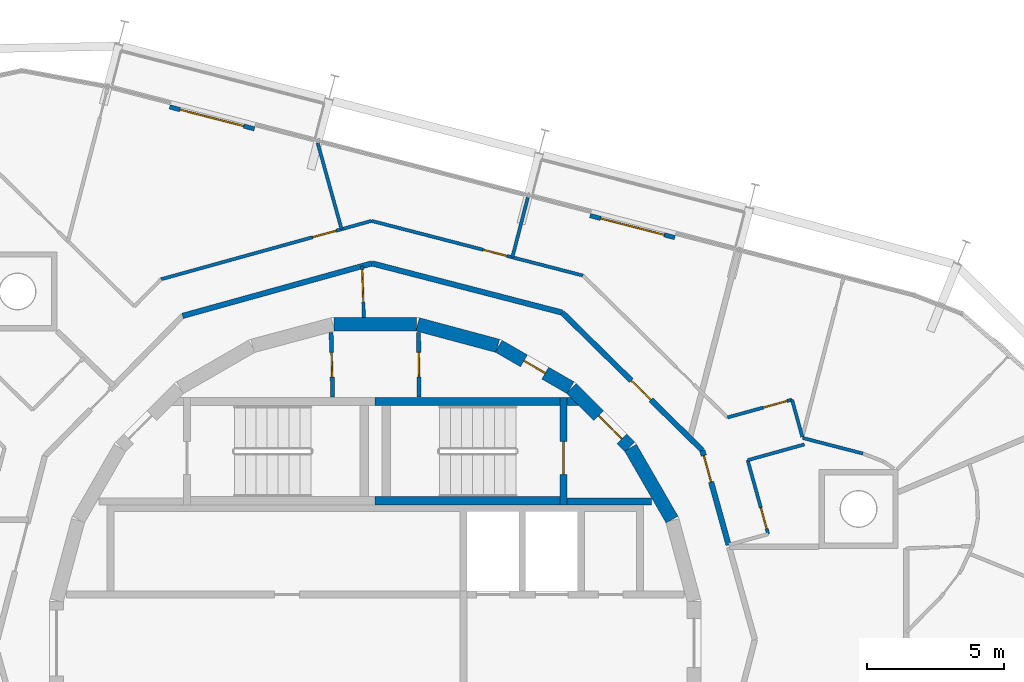
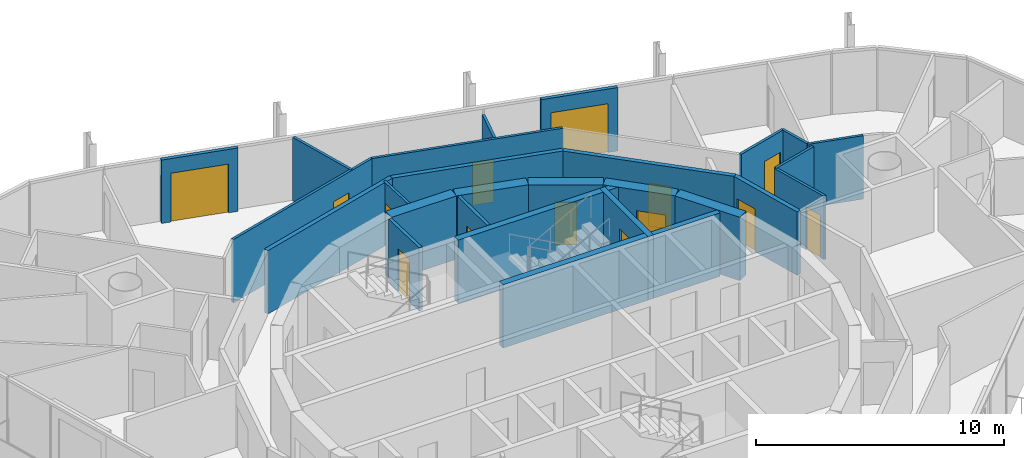
# One storey, part 13 of 15: 28 walls, 14 doors, 14 openings.
"""IFC4 building model written with IfcOpenShell, lengths in metres."""

import ifcopenshell
import ifcopenshell.guid

model = None  # the IFC model being written
_history = None  # IfcOwnerHistory: only IFC2X3 demands one
_inside = {}  # id of a spatial element -> (the spatial element, [elements in it])
_under = {}  # id of a project, library or spatial element -> (it, [spatial elements below it])
_declared = {}  # id of a project -> (the project, [libraries it declares])
_typed = {}  # id of a type object -> (the type object, [elements of that type])
_made_of = {}  # id of a material, layer set ... -> (it, [elements and type objects made of it])


def new_model(schema):
    """Start an empty IFC model of exactly this schema.

    Asked for "IFC4X3", IfcOpenShell would pick the latest addendum, in which some entities
    have other attributes; the version numbers below select the first issue.
    IFC2X3 requires an IfcOwnerHistory on every rooted entity: one is made here for all.
    """
    global model, _history
    if schema == "IFC4X3":
        model = ifcopenshell.file(schema_version=(4, 3, 0, 0))
    else:
        model = ifcopenshell.file(schema=schema)
    _inside.clear()
    _under.clear()
    _declared.clear()
    _typed.clear()
    _made_of.clear()
    _history = None
    if model.schema == "IFC2X3":
        org = make("IfcOrganization", Name="unknown")
        user = make(
            "IfcPersonAndOrganization",
            ThePerson=make("IfcPerson", FamilyName="unknown"),
            TheOrganization=org,
        )
        app = make(
            "IfcApplication",
            ApplicationDeveloper=org,
            Version="unknown",
            ApplicationFullName="unknown",
            ApplicationIdentifier="unknown",
        )
        _history = make(
            "IfcOwnerHistory",
            OwningUser=user,
            OwningApplication=app,
            ChangeAction="ADDED",
            CreationDate=0,
        )
    return model


def make(cls, **values):
    """One entity of the class cls with the attributes given. An attribute that is None is left unset."""
    return model.create_entity(
        cls, **{name: value for name, value in values.items() if value is not None}
    )


def rooted(cls, **values):
    """An entity with a GlobalId (a new one), such as an element, a storey or a relation."""
    return make(cls, GlobalId=ifcopenshell.guid.new(), OwnerHistory=_history, **values)


def si_unit(unit_type, name, prefix=None):
    """IfcSIUnit, for example si_unit("LENGTHUNIT", "METRE", prefix="MILLI")."""
    return make("IfcSIUnit", UnitType=unit_type, Prefix=prefix, Name=name)


def assignment(units):
    """IfcUnitAssignment: the units of a project."""
    return None if units is None else make("IfcUnitAssignment", Units=units)


def point(xyz):
    """IfcCartesianPoint."""
    return None if xyz is None else make("IfcCartesianPoint", Coordinates=xyz)


def direction(xyz):
    """IfcDirection."""
    return None if xyz is None else make("IfcDirection", DirectionRatios=xyz)


def frame(location, z_axis=None, x_axis=None):
    """IfcAxis2Placement3D, a coordinate frame: its origin and axes. An axis left out is left unset."""
    return make(
        "IfcAxis2Placement3D",
        Location=point(location),
        Axis=direction(z_axis),
        RefDirection=direction(x_axis),
    )


def frame_2d(location, x_axis=None):
    """IfcAxis2Placement2D, a coordinate frame in the plane: its origin and x axis."""
    return make(
        "IfcAxis2Placement2D", Location=point(location), RefDirection=direction(x_axis)
    )


def origin():
    """The frame at (0, 0, 0) with its axes left unset."""
    return frame((0.0, 0.0, 0.0))


def place(relative_to, where):
    """IfcLocalPlacement: puts the frame where relative to a parent placement (None: the world)."""
    return make(
        "IfcLocalPlacement", PlacementRelTo=relative_to, RelativePlacement=where
    )


def context(
    kind, dimensions, precision=None, world=None, true_north=None, identifier=None
):
    """IfcGeometricRepresentationContext, for example the 3D "Model" context."""
    return make(
        "IfcGeometricRepresentationContext",
        ContextIdentifier=identifier,
        ContextType=kind,
        CoordinateSpaceDimension=dimensions,
        Precision=precision,
        WorldCoordinateSystem=world,
        TrueNorth=true_north,
    )


def subcontext(parent, identifier, kind, view, scale=None):
    """IfcGeometricRepresentationSubContext, for example "Body" below "Model"."""
    return make(
        "IfcGeometricRepresentationSubContext",
        ContextIdentifier=identifier,
        ContextType=kind,
        ParentContext=parent,
        TargetScale=scale,
        TargetView=view,
    )


def project(units=None, contexts=None):
    """IfcProject with its units and contexts."""
    return rooted(
        "IfcProject",
        Name="project",
        RepresentationContexts=contexts,
        UnitsInContext=assignment(units),
    )


def spatial(cls, under=None, at=None, **own):
    """A site, building, storey or space (cls), placed at a placement, below another one or the project."""
    s = rooted(cls, ObjectPlacement=at, **own)
    if under is not None:
        _under.setdefault(under.id(), (under, []))[1].append(s)
    return s


def polyline(points):
    """IfcPolyline through the points."""
    return make("IfcPolyline", Points=[point(p) for p in points])


def profile(cls, at=None, kind="AREA", **sizes):
    """A parametric profile (cls). Its sizes go by their IFC names, for example OverallWidth=200.0."""
    return make(cls, ProfileType=kind, Position=at, **sizes)


def rectangle(**sizes):
    """IfcRectangleProfileDef."""
    return profile("IfcRectangleProfileDef", **sizes)


def outline(outer, holes=None, kind="AREA"):
    """IfcArbitraryClosedProfileDef: a profile drawn as a closed curve; with holes, ...WithVoids."""
    if holes is None:
        return make("IfcArbitraryClosedProfileDef", ProfileType=kind, OuterCurve=outer)
    return make(
        "IfcArbitraryProfileDefWithVoids",
        ProfileType=kind,
        OuterCurve=outer,
        InnerCurves=holes,
    )


def extrude(swept, where, along, depth):
    """IfcExtrudedAreaSolid: the profile swept, set in the frame where, extruded along a direction by depth."""
    return make(
        "IfcExtrudedAreaSolid",
        SweptArea=swept,
        Position=where,
        ExtrudedDirection=direction(along),
        Depth=depth,
    )


def shape(context_of_items, identifier, shape_type, items):
    """IfcShapeRepresentation: the items that make up one representation, for example the "Body"."""
    return make(
        "IfcShapeRepresentation",
        ContextOfItems=context_of_items,
        RepresentationIdentifier=identifier,
        RepresentationType=shape_type,
        Items=items,
    )


def material(Name=None, Category=None):
    """IfcMaterial."""
    return make("IfcMaterial", Name=Name, Category=Category)


def layer(
    of_material, thickness, ventilated=None, Name=None, Category=None, Priority=None
):
    """IfcMaterialLayer: one layer of a wall or slab, of a material (None: an air gap)."""
    return make(
        "IfcMaterialLayer",
        Material=of_material,
        LayerThickness=thickness,
        IsVentilated=ventilated,
        Name=Name,
        Category=Category,
        Priority=Priority,
    )


def layer_set(layers, Name=None):
    """IfcMaterialLayerSet."""
    return make("IfcMaterialLayerSet", MaterialLayers=layers, LayerSetName=Name)


def made_of(thing, what):
    """Note that an element or type object is made of a material, layer set ...; save() writes the relation."""
    if what is not None:
        _made_of.setdefault(what.id(), (what, []))[1].append(thing)
    return thing


def type_object(cls, material=None, **own):
    """A type object (cls), such as IfcWallType, which elements share."""
    return made_of(rooted(cls, **own), material)


def element(
    cls,
    number,
    at=None,
    inside=None,
    cuts=None,
    type_object=None,
    material=None,
    context=None,
    identifier="Body",
    shape_type=None,
    held_by="IfcProductDefinitionShape",
    body=None,
    shapes=None,
    **own,
):
    """One element of the class cls, such as IfcWall. Its Tag is "e" and its number.

    at: its placement. inside: the storey or other place that contains it. cuts: it is an
    opening in that element (IfcRelVoidsElement). A single representation is given by context,
    identifier, shape_type and body (its items); several are given by shapes. held_by: the class
    of the entity that holds the representations. save() writes the other relations.
    """
    e = rooted(cls, Tag="e%d" % number, ObjectPlacement=at, **own)
    if body is not None:
        shapes = [shape(context, identifier, shape_type, body)]
    if shapes is not None:
        e.Representation = make(held_by, Representations=shapes)
    if inside is not None:
        _inside.setdefault(inside.id(), (inside, []))[1].append(e)
    if cuts is not None:
        rooted(
            "IfcRelVoidsElement", RelatingBuildingElement=cuts, RelatedOpeningElement=e
        )
    if type_object is not None:
        _typed.setdefault(type_object.id(), (type_object, []))[1].append(e)
    return made_of(e, material)


def fill(opening, filler):
    """IfcRelFillsElement: the door or window that sits in an opening."""
    return rooted(
        "IfcRelFillsElement",
        RelatingOpeningElement=opening,
        RelatedBuildingElement=filler,
    )


def aggregate(whole, parts):
    """IfcRelAggregates: a whole, such as a stair, and the parts it consists of."""
    return rooted("IfcRelAggregates", RelatingObject=whole, RelatedObjects=parts)


def save(model, path):
    """Write the relations noted so far, then the file.

    IfcRelAggregates (storeys below a building ...), IfcRelContainedInSpatialStructure (elements
    in a storey), IfcRelDefinesByType, IfcRelAssociatesMaterial and IfcRelDeclares: one each for
    every whole, place, type object, material and project.
    """
    for whole, parts in _under.values():
        aggregate(whole, parts)
    for where, things in _inside.values():
        rooted(
            "IfcRelContainedInSpatialStructure",
            RelatedElements=things,
            RelatingStructure=where,
        )
    for kind, things in _typed.values():
        rooted("IfcRelDefinesByType", RelatedObjects=things, RelatingType=kind)
    for what, things in _made_of.values():
        rooted("IfcRelAssociatesMaterial", RelatedObjects=things, RelatingMaterial=what)
    for by, libraries in _declared.values():
        rooted("IfcRelDeclares", RelatingContext=by, RelatedDefinitions=libraries)
    model.write(path)


model = new_model("IFC4")

# Units and contexts
model_context = context("Model", 3, precision=1e-05, world=origin(), true_north=direction((0.0, 1.0)))
body_context = subcontext(model_context, "Body", "Model", "MODEL_VIEW")
ifc_project = project(units=[si_unit("LENGTHUNIT", "METRE"), si_unit("AREAUNIT", "SQUARE_METRE"), si_unit("VOLUMEUNIT", "CUBIC_METRE"), si_unit("PLANEANGLEUNIT", "RADIAN"), si_unit("MASSUNIT", "GRAM", prefix="KILO")], contexts=[model_context])

# Site, building, storey
site_placement = place(None, origin())
site = spatial("IfcSite", under=ifc_project, at=site_placement, CompositionType="ELEMENT")
building_placement = place(site_placement, origin())
building = spatial("IfcBuilding", under=site, at=building_placement, Name="Spindle Arch Residences", CompositionType="ELEMENT")
storey_placement = place(building_placement, frame((0.0, 0.0, 308.699951171875)))
storey = spatial("IfcBuildingStorey", under=building, at=storey_placement, Name="L79", CompositionType="ELEMENT", Elevation=308.699951171875)

# Wall
ifc_material_1 = material(Name="Concrete C50/60", Category="concrete")
ifc_layer_1 = layer(ifc_material_1, 0.5)
ifc_layer_set_1 = layer_set([ifc_layer_1], Name="Core outline wall 500")
wall_type_1 = type_object("IfcWallType", Name="Core outline wall 500", PredefinedType="SHEAR", material=ifc_layer_set_1)
wall_1_placement = place(storey_placement, frame((10.84521484375, 4.510498046875, 0.0), z_axis=(0.0, 0.0, 1.0), x_axis=(-0.500087131594, 0.865975092491, 0.0)))
element("IfcWall", 1, at=wall_1_placement, inside=storey, type_object=wall_type_1, Name="Core outline wall 8", PredefinedType="SHEAR", context=body_context, shape_type="SweptSolid", body=[
    extrude(rectangle(XDim=3.03271484375, YDim=0.5, at=frame_2d((1.516357421875, 0.0))), origin(), (0.0, 0.0, 1.0), 3.1201171875),
])

# Wall, opening, door
wall_2_placement = place(storey_placement, frame((9.30810546875, 7.163818359375, 0.0), z_axis=(0.0, 0.0, 1.0), x_axis=(-0.707106781187, 0.707106781187, 0.0)))
wall_2 = element("IfcWall", 2, at=wall_2_placement, inside=storey, type_object=wall_type_1, Name="Core outline wall 9", PredefinedType="SHEAR", context=body_context, shape_type="SweptSolid", body=[
    extrude(rectangle(XDim=3.032470703125, YDim=0.5, at=frame_2d((1.51611328125, 0.0))), origin(), (0.0, 0.0, 1.0), 3.1201171875),
])
opening_1_placement = place(wall_2_placement, frame((0.416259765625, 0.0, 0.0)))
opening_1 = element("IfcOpeningElement", 3, at=opening_1_placement, cuts=wall_2, Name="Opening R8B1-AD01", PredefinedType="OPENING", context=body_context, shape_type="SweptSolid", body=[
    extrude(rectangle(XDim=1.199951171875, YDim=2.10009765625, at=frame_2d((0.60009765625, 1.050048828125))), frame((0.0, 0.260009765625, 0.0), z_axis=(0.0, -1.0, 0.0), x_axis=(1.0, 0.0, 0.0)), (0.0, 0.0, 1.0), 0.52001953125),
])
ifc_material_2 = material(Name="Steel, fire-resisting door", Category="steel")
door_type_1 = type_object("IfcDoorType", Name="Stair airlock door 1200x2100", OperationType="SINGLE_SWING_LEFT", PredefinedType="DOOR", material=ifc_material_2)
door_1_placement = place(opening_1_placement, origin())
door_1 = element("IfcDoor", 4, at=door_1_placement, inside=storey, type_object=door_type_1, Name="Stair airlock door R8B1-AD01", OperationType="SINGLE_SWING_RIGHT", OverallHeight=2.10009765625, OverallWidth=1.199951171875, PredefinedType="DOOR", context=body_context, shape_type="SweptSolid", body=[
    extrude(rectangle(XDim=1.199951171875, YDim=2.10009765625, at=frame_2d((0.60009765625, 1.050048828125))), frame((0.0, 0.02490234375, 0.0), z_axis=(0.0, -1.0, 0.0), x_axis=(1.0, 0.0, 0.0)), (0.0, 0.0, 1.0), 0.050048828125),
])
fill(opening_1, door_1)

wall_3_placement = place(storey_placement, frame((7.13671875, 9.32861328125, 0.0), z_axis=(0.0, 0.0, 1.0), x_axis=(-0.865975092491, 0.500087131594, 0.0)))
wall_3 = element("IfcWall", 5, at=wall_3_placement, inside=storey, type_object=wall_type_1, Name="Core outline wall 10", PredefinedType="SHEAR", context=body_context, shape_type="SweptSolid", body=[
    extrude(rectangle(XDim=3.03271484375, YDim=0.5, at=frame_2d((1.516357421875, 0.0))), origin(), (0.0, 0.0, 1.0), 3.1201171875),
])
opening_2_placement = place(wall_3_placement, frame((1.06640625, 0.0, 0.0)))
opening_2 = element("IfcOpeningElement", 6, at=opening_2_placement, cuts=wall_3, Name="Opening R8B1-WD10", PredefinedType="OPENING", context=body_context, shape_type="SweptSolid", body=[
    extrude(rectangle(XDim=0.89990234375, YDim=2.10009765625, at=frame_2d((0.449951171875, 1.050048828125))), frame((0.0, 0.260009765625, 0.0), z_axis=(0.0, -1.0, 0.0), x_axis=(1.0, 0.0, 0.0)), (0.0, 0.0, 1.0), 0.52001953125),
])
ifc_material_3 = material(Name="Steel, fire-resisting door", Category="steel")
door_type_2 = type_object("IfcDoorType", Name="Service room door 900x2100", OperationType="SINGLE_SWING_LEFT", PredefinedType="DOOR", material=ifc_material_3)
door_2_placement = place(opening_2_placement, origin())
door_2 = element("IfcDoor", 7, at=door_2_placement, inside=storey, type_object=door_type_2, Name="Service room door R8B1-WD10", OperationType="SINGLE_SWING_RIGHT", OverallHeight=2.10009765625, OverallWidth=0.89990234375, PredefinedType="DOOR", context=body_context, shape_type="SweptSolid", body=[
    extrude(rectangle(XDim=0.89990234375, YDim=2.10009765625, at=frame_2d((0.449951171875, 1.050048828125))), frame((0.0, 0.02490234375, 0.0), z_axis=(0.0, -1.0, 0.0), x_axis=(1.0, 0.0, 0.0)), (0.0, 0.0, 1.0), 0.050048828125),
])
fill(opening_2, door_2)

# Walls
for number, where, z_axis, x_axis, name in (
    (8, (4.479248046875, 10.858154296875, 0.0), (0.0, 0.0, 1.0), (-0.965948410781, 0.258734743916, 0.0), "Core outline wall 11"),
    (9, (1.516357421875, 11.647216796875, 0.0), (0.0, 0.0, 1.0), (-1.0, 0.0, 0.0), "Core outline wall 12"),
):
    element("IfcWall", number, at=place(storey_placement, frame(where, z_axis=z_axis, x_axis=x_axis)), inside=storey, type_object=wall_type_1, Name=name, PredefinedType="SHEAR", context=body_context, shape_type="SweptSolid", body=[
        extrude(rectangle(XDim=3.03271484375, YDim=0.5, at=frame_2d((1.516357421875, 0.0))), origin(), (0.0, 0.0, 1.0), 3.1201171875),
    ])

# Wall, opening, door
ifc_material_4 = material(Name="Plasterboard on steel studs", Category="steel")
ifc_layer_2 = layer(ifc_material_4, 0.1201171875)
ifc_layer_set_2 = layer_set([ifc_layer_2], Name="Corridor division wall 120")
wall_type_2 = type_object("IfcWallType", Name="Corridor division wall 120", PredefinedType="PARTITIONING", material=ifc_layer_set_2)
wall_4_placement = place(storey_placement, frame((-0.48095703125, 13.7724609375, 0.0), z_axis=(0.0, 0.0, 1.0), x_axis=(0.034870071203, -0.999391854146, 0.0)))
wall_4 = element("IfcWall", 10, at=wall_4_placement, inside=storey, type_object=wall_type_2, Name="Corridor division wall R8B1-W001", PredefinedType="PARTITIONING", context=body_context, shape_type="SweptSolid", body=[
    extrude(rectangle(XDim=1.87646484375, YDim=0.1201171875, at=frame_2d((0.938232421875, 0.0))), origin(), (0.0, 0.0, 1.0), 3.1201171875),
])
opening_3_placement = place(wall_4_placement, frame((0.125, 0.0, 0.0)))
opening_3 = element("IfcOpeningElement", 11, at=opening_3_placement, cuts=wall_4, Name="Opening R8B1-CD01", PredefinedType="OPENING", context=body_context, shape_type="SweptSolid", body=[
    extrude(rectangle(XDim=1.199951171875, YDim=2.10009765625, at=frame_2d((0.60009765625, 1.050048828125))), frame((0.0, 0.070068359375, 0.0), z_axis=(0.0, -1.0, 0.0), x_axis=(1.0, 0.0, 0.0)), (0.0, 0.0, 1.0), 0.14013671875),
])
ifc_material_5 = material(Name="Steel, fire-resisting door", Category="steel")
door_type_3 = type_object("IfcDoorType", Name="Corridor division door 1200x2100", OperationType="NOTDEFINED", PredefinedType="DOOR", material=ifc_material_5)
door_3_placement = place(opening_3_placement, origin())
door_3 = element("IfcDoor", 12, at=door_3_placement, inside=storey, type_object=door_type_3, Name="Corridor division door R8B1-CD01", OperationType="DOUBLE_DOOR_SINGLE_SWING", OverallHeight=2.10009765625, OverallWidth=1.199951171875, PredefinedType="DOOR", context=body_context, shape_type="SweptSolid", body=[
    extrude(rectangle(XDim=1.199951171875, YDim=2.10009765625, at=frame_2d((0.60009765625, 1.050048828125))), frame((0.0, 0.02490234375, 0.0), z_axis=(0.0, -1.0, 0.0), x_axis=(1.0, 0.0, 0.0)), (0.0, 0.0, 1.0), 0.050048828125),
])
fill(opening_3, door_3)

ifc_material_6 = material(Name="Calcium silicate block, plastered")
ifc_layer_3 = layer(ifc_material_6, 0.199951171875)
ifc_layer_set_3 = layer_set([ifc_layer_3], Name="Corridor wall 200")
wall_type_3 = type_object("IfcWallType", Name="Corridor wall 200", PredefinedType="STANDARD", material=ifc_layer_set_3)
wall_5_placement = place(storey_placement, frame((12.91259765625, 3.5810546875, 0.0), z_axis=(0.0, 0.0, 1.0), x_axis=(-0.267223005422, 0.963634715737, 0.0)))
wall_5 = element("IfcWall", 13, at=wall_5_placement, inside=storey, type_object=wall_type_3, Name="Corridor wall R8B1-W006", PredefinedType="STANDARD", context=body_context, shape_type="SweptSolid", body=[
    extrude(rectangle(XDim=3.590576171875, YDim=0.199951171875, at=frame_2d((1.79541015625, 0.0))), origin(), (0.0, 0.0, 1.0), 3.1201171875),
])
opening_4_placement = place(wall_5_placement, frame((2.390380859375, 0.0, 0.0)))
opening_4 = element("IfcOpeningElement", 14, at=opening_4_placement, cuts=wall_5, Name="Opening R8B1-FD01", PredefinedType="OPENING", context=body_context, shape_type="SweptSolid", body=[
    extrude(rectangle(XDim=1.0, YDim=2.10009765625, at=frame_2d((0.5, 1.050048828125))), frame((0.0, 0.10986328125, 0.0), z_axis=(0.0, -1.0, 0.0), x_axis=(1.0, 0.0, 0.0)), (0.0, 0.0, 1.0), 0.219970703125),
])
ifc_material_7 = material(Name="Timber, fire-resisting door set", Category="wood")
door_type_4 = type_object("IfcDoorType", Name="Flat entrance door 1000x2100", OperationType="NOTDEFINED", PredefinedType="DOOR", material=ifc_material_7)
door_4_placement = place(opening_4_placement, origin())
door_4 = element("IfcDoor", 15, at=door_4_placement, inside=storey, type_object=door_type_4, Name="Flat entrance door R8B1-FD01", OperationType="SINGLE_SWING_LEFT", OverallHeight=2.10009765625, OverallWidth=1.0, PredefinedType="DOOR", context=body_context, shape_type="SweptSolid", body=[
    extrude(rectangle(XDim=1.0, YDim=2.10009765625, at=frame_2d((0.5, 1.050048828125))), frame((0.0, 0.02490234375, 0.0), z_axis=(0.0, -1.0, 0.0), x_axis=(1.0, 0.0, 0.0)), (0.0, 0.0, 1.0), 0.050048828125),
])
fill(opening_4, door_4)

wall_6_placement = place(storey_placement, frame((11.953125, 7.041015625, 0.0), z_axis=(0.0, 0.0, 1.0), x_axis=(-0.713250549143, 0.70090916255, 0.0)))
wall_6 = element("IfcWall", 16, at=wall_6_placement, inside=storey, type_object=wall_type_3, Name="Corridor wall R8B1-W007", PredefinedType="STANDARD", context=body_context, shape_type="SweptSolid", body=[
    extrude(rectangle(XDim=7.180908203125, YDim=0.199951171875, at=frame_2d((3.59033203125, 0.0))), origin(), (0.0, 0.0, 1.0), 3.1201171875),
])
opening_5_placement = place(wall_6_placement, frame((2.63720703125, 0.0, 0.0)))
opening_5 = element("IfcOpeningElement", 17, at=opening_5_placement, cuts=wall_6, Name="Opening R8B1-FD02", PredefinedType="OPENING", context=body_context, shape_type="SweptSolid", body=[
    extrude(rectangle(XDim=1.0, YDim=2.10009765625, at=frame_2d((0.5, 1.050048828125))), frame((0.0, 0.10986328125, 0.0), z_axis=(0.0, -1.0, 0.0), x_axis=(1.0, 0.0, 0.0)), (0.0, 0.0, 1.0), 0.219970703125),
])
door_5_placement = place(opening_5_placement, origin())
door_5 = element("IfcDoor", 18, at=door_5_placement, inside=storey, type_object=door_type_4, Name="Flat entrance door R8B1-FD02", OperationType="SINGLE_SWING_LEFT", OverallHeight=2.10009765625, OverallWidth=1.0, PredefinedType="DOOR", context=body_context, shape_type="SweptSolid", body=[
    extrude(rectangle(XDim=1.0, YDim=2.10009765625, at=frame_2d((0.5, 1.050048828125))), frame((0.0, 0.02490234375, 0.0), z_axis=(0.0, -1.0, 0.0), x_axis=(1.0, 0.0, 0.0)), (0.0, 0.0, 1.0), 0.050048828125),
])
fill(opening_5, door_5)

# Walls
for number, where, z_axis, x_axis, name in (
    (19, (6.831298828125, 12.07421875, 0.0), (0.0, 0.0, 1.0), (-0.968144780225, 0.250391063186, 0.0), "Corridor wall R8B1-W008"),
    (20, (-0.12109375, 13.872314453125, 0.0), (0.0, 0.0, 1.0), (-0.963625960674, -0.267254575108, 0.0), "Corridor wall R8B1-W009"),
):
    element("IfcWall", number, at=place(storey_placement, frame(where, z_axis=z_axis, x_axis=x_axis)), inside=storey, type_object=wall_type_3, Name=name, PredefinedType="STANDARD", context=body_context, shape_type="SweptSolid", body=[
        extrude(rectangle(XDim=7.18115234375, YDim=0.199951171875, at=frame_2d((3.590576171875, 0.0))), origin(), (0.0, 0.0, 1.0), 3.1201171875),
    ])

# Wall, opening, door
ifc_material_8 = material(Name="Plasterboard on steel studs", Category="steel")
ifc_layer_4 = layer(ifc_material_8, 0.1201171875)
ifc_layer_set_4 = layer_set([ifc_layer_4], Name="Flat partition 120")
wall_type_4 = type_object("IfcWallType", Name="Flat partition 120", PredefinedType="PARTITIONING", material=ifc_layer_set_4)
wall_7_placement = place(storey_placement, frame((14.358154296875, 3.98193359375, 0.0), z_axis=(0.0, 0.0, 1.0), x_axis=(-0.267275166053, 0.963620249689, 0.0)))
wall_7 = element("IfcWall", 21, at=wall_7_placement, inside=storey, type_object=wall_type_4, Name="Flat partition R8B1-W031", PredefinedType="PARTITIONING", context=body_context, shape_type="SweptSolid", body=[
    extrude(rectangle(XDim=2.800537109375, YDim=0.1201171875, at=frame_2d((1.400390625, 0.0))), origin(), (0.0, 0.0, 1.0), 3.1201171875),
])
opening_6_placement = place(wall_7_placement, frame((0.199951171875, 0.0, 0.0)))
opening_6 = element("IfcOpeningElement", 22, at=opening_6_placement, cuts=wall_7, Name="Opening R8B1-BD01", PredefinedType="OPENING", context=body_context, shape_type="SweptSolid", body=[
    extrude(rectangle(XDim=0.800048828125, YDim=2.10009765625, at=frame_2d((0.39990234375, 1.050048828125))), frame((0.0, 0.070068359375, 0.0), z_axis=(0.0, -1.0, 0.0), x_axis=(1.0, 0.0, 0.0)), (0.0, 0.0, 1.0), 0.14013671875),
])
ifc_material_9 = material(Name="Timber door set", Category="wood")
door_type_5 = type_object("IfcDoorType", Name="Bathroom door 800x2100", OperationType="NOTDEFINED", PredefinedType="DOOR", material=ifc_material_9)
door_6_placement = place(opening_6_placement, origin())
door_6 = element("IfcDoor", 23, at=door_6_placement, inside=storey, type_object=door_type_5, Name="Bathroom door R8B1-BD01", OperationType="SINGLE_SWING_LEFT", OverallHeight=2.10009765625, OverallWidth=0.800048828125, PredefinedType="DOOR", context=body_context, shape_type="SweptSolid", body=[
    extrude(rectangle(XDim=0.800048828125, YDim=2.10009765625, at=frame_2d((0.39990234375, 1.050048828125))), frame((0.0, 0.02490234375, 0.0), z_axis=(0.0, -1.0, 0.0), x_axis=(1.0, 0.0, 0.0)), (0.0, 0.0, 1.0), 0.050048828125),
])
fill(opening_6, door_6)

# Walls
wall_8_placement = place(storey_placement, frame((13.609619140625, 6.6806640625, 0.0), z_axis=(0.0, 0.0, 1.0), x_axis=(0.963626714087, 0.267251858551, 0.0)))
element("IfcWall", 24, at=wall_8_placement, inside=storey, type_object=wall_type_4, Name="Flat partition R8B1-W032", PredefinedType="PARTITIONING", context=body_context, shape_type="SweptSolid", body=[
    extrude(rectangle(XDim=2.15234375, YDim=0.1201171875, at=frame_2d((1.076171875, 0.0))), origin(), (0.0, 0.0, 1.0), 3.1201171875),
])
wall_9_placement = place(storey_placement, frame((15.607666015625, 7.530029296875, 0.0), z_axis=(0.0, 0.0, 1.0), x_axis=(-0.267172351994, 0.963648760872, 0.0)))
element("IfcWall", 25, at=wall_9_placement, inside=storey, type_object=wall_type_4, Name="Flat partition R8B1-W033", PredefinedType="PARTITIONING", context=body_context, shape_type="SweptSolid", body=[
    extrude(rectangle(XDim=1.41552734375, YDim=0.1201171875, at=frame_2d((0.707763671875, 0.0))), origin(), (0.0, 0.0, 1.0), 3.1201171875),
])

# Wall, opening, door
wall_10_placement = place(storey_placement, frame((15.2294921875, 8.89404296875, 0.0), z_axis=(0.0, 0.0, 1.0), x_axis=(-0.96363793677, -0.267211389759, 0.0)))
wall_10 = element("IfcWall", 26, at=wall_10_placement, inside=storey, type_object=wall_type_4, Name="Flat partition R8B1-W034", PredefinedType="PARTITIONING", context=body_context, shape_type="SweptSolid", body=[
    extrude(rectangle(XDim=2.44580078125, YDim=0.1201171875, at=frame_2d((1.222900390625, 0.0))), origin(), (0.0, 0.0, 1.0), 3.1201171875),
])
opening_7_placement = place(wall_10_placement, frame((0.199951171875, 0.0, 0.0)))
opening_7 = element("IfcOpeningElement", 27, at=opening_7_placement, cuts=wall_10, Name="Opening R8B1-ID01", PredefinedType="OPENING", context=body_context, shape_type="SweptSolid", body=[
    extrude(rectangle(XDim=0.89990234375, YDim=2.10009765625, at=frame_2d((0.449951171875, 1.050048828125))), frame((0.0, 0.070068359375, 0.0), z_axis=(0.0, -1.0, 0.0), x_axis=(1.0, 0.0, 0.0)), (0.0, 0.0, 1.0), 0.14013671875),
])
ifc_material_10 = material(Name="Timber door set", Category="wood")
door_type_6 = type_object("IfcDoorType", Name="Room door 900x2100", OperationType="NOTDEFINED", PredefinedType="DOOR", material=ifc_material_10)
door_7_placement = place(opening_7_placement, origin())
door_7 = element("IfcDoor", 28, at=door_7_placement, inside=storey, type_object=door_type_6, Name="Room door R8B1-ID01", OperationType="SINGLE_SWING_LEFT", OverallHeight=2.10009765625, OverallWidth=0.89990234375, PredefinedType="DOOR", context=body_context, shape_type="SweptSolid", body=[
    extrude(rectangle(XDim=0.89990234375, YDim=2.10009765625, at=frame_2d((0.449951171875, 1.050048828125))), frame((0.0, 0.02490234375, 0.0), z_axis=(0.0, -1.0, 0.0), x_axis=(1.0, 0.0, 0.0)), (0.0, 0.0, 1.0), 0.050048828125),
])
fill(opening_7, door_7)

# Wall
wall_11_placement = place(storey_placement, frame((17.8251953125, 6.922119140625, 0.0), z_axis=(0.0, 0.0, 1.0), x_axis=(-0.968151834511, 0.250363785985, 0.0)))
element("IfcWall", 29, at=wall_11_placement, inside=storey, type_object=wall_type_4, Name="Flat partition R8B1-W039", PredefinedType="PARTITIONING", context=body_context, shape_type="SweptSolid", body=[
    extrude(rectangle(XDim=2.27978515625, YDim=0.1201171875, at=frame_2d((1.139892578125, 0.0))), origin(), (0.0, 0.0, 1.0), 3.1201171875),
])

# Wall, opening, door
wall_12_placement = place(storey_placement, frame((7.595947265625, 13.42578125, 0.0), z_axis=(0.0, 0.0, 1.0), x_axis=(-0.968146656033, 0.250383810203, 0.0)))
wall_12 = element("IfcWall", 30, at=wall_12_placement, inside=storey, type_object=wall_type_4, Name="Flat partition R8B1-W041", PredefinedType="PARTITIONING", context=body_context, shape_type="SweptSolid", body=[
    extrude(rectangle(XDim=7.98486328125, YDim=0.1201171875, at=frame_2d((3.992431640625, 0.0))), origin(), (0.0, 0.0, 1.0), 3.1201171875),
])
opening_8_placement = place(wall_12_placement, frame((2.869873046875, 0.0, 0.0)))
opening_8 = element("IfcOpeningElement", 31, at=opening_8_placement, cuts=wall_12, Name="Opening R8B1-ID05", PredefinedType="OPENING", context=body_context, shape_type="SweptSolid", body=[
    extrude(rectangle(XDim=0.89990234375, YDim=2.10009765625, at=frame_2d((0.449951171875, 1.050048828125))), frame((0.0, 0.070068359375, 0.0), z_axis=(0.0, -1.0, 0.0), x_axis=(1.0, 0.0, 0.0)), (0.0, 0.0, 1.0), 0.14013671875),
])
door_8_placement = place(opening_8_placement, origin())
door_8 = element("IfcDoor", 32, at=door_8_placement, inside=storey, type_object=door_type_6, Name="Room door R8B1-ID05", OperationType="SINGLE_SWING_LEFT", OverallHeight=2.10009765625, OverallWidth=0.89990234375, PredefinedType="DOOR", context=body_context, shape_type="SweptSolid", body=[
    extrude(rectangle(XDim=0.89990234375, YDim=2.10009765625, at=frame_2d((0.449951171875, 1.050048828125))), frame((0.0, 0.02490234375, 0.0), z_axis=(0.0, -1.0, 0.0), x_axis=(1.0, 0.0, 0.0)), (0.0, 0.0, 1.0), 0.050048828125),
])
fill(opening_8, door_8)

wall_13_placement = place(storey_placement, frame((-0.134521484375, 15.425048828125, 0.0), z_axis=(0.0, 0.0, 1.0), x_axis=(-0.963633899075, -0.267225950373, 0.0)))
wall_13 = element("IfcWall", 33, at=wall_13_placement, inside=storey, type_object=wall_type_4, Name="Flat partition R8B1-W042", PredefinedType="PARTITIONING", context=body_context, shape_type="SweptSolid", body=[
    extrude(rectangle(XDim=7.98486328125, YDim=0.1201171875, at=frame_2d((3.992431640625, 0.0))), origin(), (0.0, 0.0, 1.0), 3.1201171875),
])
opening_9_placement = place(wall_13_placement, frame((1.3369140625, 0.0, 0.0)))
opening_9 = element("IfcOpeningElement", 34, at=opening_9_placement, cuts=wall_13, Name="Opening R8B1-ID06", PredefinedType="OPENING", context=body_context, shape_type="SweptSolid", body=[
    extrude(rectangle(XDim=0.89990234375, YDim=2.10009765625, at=frame_2d((0.449951171875, 1.050048828125))), frame((0.0, 0.070068359375, 0.0), z_axis=(0.0, -1.0, 0.0), x_axis=(1.0, 0.0, 0.0)), (0.0, 0.0, 1.0), 0.14013671875),
])
door_9_placement = place(opening_9_placement, origin())
door_9 = element("IfcDoor", 35, at=door_9_placement, inside=storey, type_object=door_type_6, Name="Room door R8B1-ID06", OperationType="SINGLE_SWING_RIGHT", OverallHeight=2.10009765625, OverallWidth=0.89990234375, PredefinedType="DOOR", context=body_context, shape_type="SweptSolid", body=[
    extrude(rectangle(XDim=0.89990234375, YDim=2.10009765625, at=frame_2d((0.449951171875, 1.050048828125))), frame((0.0, 0.02490234375, 0.0), z_axis=(0.0, -1.0, 0.0), x_axis=(1.0, 0.0, 0.0)), (0.0, 0.0, 1.0), 0.050048828125),
])
fill(opening_9, door_9)

# Walls
wall_14_placement = place(storey_placement, frame((-2.104248046875, 18.2734375, 0.0), z_axis=(0.0, 0.0, 1.0), x_axis=(0.267251230405, -0.963626888296, 0.0)))
element("IfcWall", 36, at=wall_14_placement, inside=storey, type_object=wall_type_4, Name="Flat partition R8B1-W048", PredefinedType="PARTITIONING", context=body_context, shape_type="SweptSolid", body=[
    extrude(rectangle(XDim=3.271240234375, YDim=0.1201171875, at=frame_2d((1.6357421875, 0.0))), origin(), (0.0, 0.0, 1.0), 3.1201171875),
])
ifc_material_11 = material(Name="Plasterboard on steel studs", Category="steel")
ifc_layer_5 = layer(ifc_material_11, 0.1201171875)
ifc_layer_set_5 = layer_set([ifc_layer_5], Name="Flat partition 120 under beam 2730")
wall_type_5 = type_object("IfcWallType", Name="Flat partition 120 under beam 2730", PredefinedType="PARTITIONING", material=ifc_layer_set_5)
wall_15_placement = place(storey_placement, frame((5.578125, 16.286865234375, 0.0), z_axis=(0.0, 0.0, 1.0), x_axis=(-0.250415921279, -0.968138350841, 0.0)))
element("IfcWall", 37, at=wall_15_placement, inside=storey, type_object=wall_type_5, Name="Flat partition R8B1-W047", PredefinedType="PARTITIONING", context=body_context, shape_type="SweptSolid", body=[
    extrude(rectangle(XDim=2.264892578125, YDim=0.1201171875, at=frame_2d((1.13232421875, 0.0))), origin(), (0.0, 0.0, 1.0), 2.72998046875),
])

# Wall, opening, door
ifc_material_12 = material(Name="Non-combustible mineral wool insulated aluminium faced external wall (K0)", Category="aluminium")
ifc_layer_6 = layer(ifc_material_12, 0.159912109375)
ifc_layer_set_6 = layer_set([ifc_layer_6], Name="Insulated external wall panel 160")
wall_type_6 = type_object("IfcWallType", Name="Insulated external wall panel 160", PredefinedType="STANDARD", material=ifc_layer_set_6)
wall_16_placement = place(storey_placement, frame((10.9482421875, 14.815185546875, 0.0), z_axis=(0.0, 0.0, 1.0), x_axis=(-0.968144998439, 0.250390219454, 0.0)))
wall_16 = element("IfcWall", 38, at=wall_16_placement, inside=storey, type_object=wall_type_6, Name="External wall L79 bay 6", PredefinedType="STANDARD", context=body_context, shape_type="SweptSolid", body=[
    extrude(rectangle(XDim=3.2001953125, YDim=0.159912109375, at=frame_2d((1.60009765625, 0.0))), origin(), (0.0, 0.0, 1.0), 3.1201171875),
])
opening_10_placement = place(wall_16_placement, frame((0.39990234375, 0.0, 0.0)))
opening_10 = element("IfcOpeningElement", 39, at=opening_10_placement, cuts=wall_16, Name="Opening BD06", PredefinedType="OPENING", context=body_context, shape_type="SweptSolid", body=[
    extrude(rectangle(XDim=2.39990234375, YDim=2.39990234375, at=frame_2d((1.199951171875, 1.199951171875))), frame((0.0, 0.08984375, 0.0), z_axis=(0.0, -1.0, 0.0), x_axis=(1.0, 0.0, 0.0)), (0.0, 0.0, 1.0), 0.179931640625),
])
ifc_material_13 = material(Name="Bronze aluminium frame, tinted double glazing", Category="aluminium")
door_type_7 = type_object("IfcDoorType", Name="Sliding glazed balcony door 2400x2400", OperationType="DOUBLE_DOOR_SLIDING", PredefinedType="DOOR", material=ifc_material_13)
door_10_placement = place(opening_10_placement, origin())
door_10 = element("IfcDoor", 40, at=door_10_placement, inside=storey, type_object=door_type_7, Name="Balcony door BD06", OperationType="DOUBLE_DOOR_SLIDING", OverallHeight=2.39990234375, OverallWidth=2.39990234375, PredefinedType="DOOR", context=body_context, shape_type="SweptSolid", body=[
    extrude(rectangle(XDim=2.39990234375, YDim=2.39990234375, at=frame_2d((1.199951171875, 1.199951171875))), frame((0.0, 0.02490234375, 0.0), z_axis=(0.0, -1.0, 0.0), x_axis=(1.0, 0.0, 0.0)), (0.0, 0.0, 1.0), 0.050048828125),
])
fill(opening_10, door_10)

wall_17_placement = place(storey_placement, frame((-4.41650390625, 18.788818359375, 0.0), z_axis=(0.0, 0.0, 1.0), x_axis=(-0.968140214764, 0.250408715017, 0.0)))
wall_17 = element("IfcWall", 41, at=wall_17_placement, inside=storey, type_object=wall_type_6, Name="External wall L79 bay 8", PredefinedType="STANDARD", context=body_context, shape_type="SweptSolid", body=[
    extrude(rectangle(XDim=3.199951171875, YDim=0.159912109375, at=frame_2d((1.60009765625, 0.0))), origin(), (0.0, 0.0, 1.0), 3.1201171875),
])
opening_11_placement = place(wall_17_placement, frame((0.39990234375, 0.0, 0.0)))
opening_11 = element("IfcOpeningElement", 42, at=opening_11_placement, cuts=wall_17, Name="Opening BD08", PredefinedType="OPENING", context=body_context, shape_type="SweptSolid", body=[
    extrude(rectangle(XDim=2.39990234375, YDim=2.39990234375, at=frame_2d((1.199951171875, 1.199951171875))), frame((0.0, 0.08984375, 0.0), z_axis=(0.0, -1.0, 0.0), x_axis=(1.0, 0.0, 0.0)), (0.0, 0.0, 1.0), 0.179931640625),
])
door_11_placement = place(opening_11_placement, origin())
door_11 = element("IfcDoor", 43, at=door_11_placement, inside=storey, type_object=door_type_7, Name="Balcony door BD08", OperationType="DOUBLE_DOOR_SLIDING", OverallHeight=2.39990234375, OverallWidth=2.39990234375, PredefinedType="DOOR", context=body_context, shape_type="SweptSolid", body=[
    extrude(rectangle(XDim=2.39990234375, YDim=2.39990234375, at=frame_2d((1.199951171875, 1.199951171875))), frame((0.0, 0.02490234375, 0.0), z_axis=(0.0, -1.0, 0.0), x_axis=(1.0, 0.0, 0.0)), (0.0, 0.0, 1.0), 0.050048828125),
])
fill(opening_11, door_11)

ifc_material_14 = material(Name="Concrete C25/30", Category="concrete")
ifc_layer_7 = layer(ifc_material_14, 0.14990234375)
ifc_layer_set_7 = layer_set([ifc_layer_7], Name="Service room partition 150")
wall_type_7 = type_object("IfcWallType", Name="Service room partition 150", PredefinedType="PARTITIONING", material=ifc_layer_set_7)
wall_18_placement = place(storey_placement, frame((1.585693359375, 11.3544921875, 0.0), z_axis=(0.0, 0.0, 1.0), x_axis=(0.007227482881, -0.999973881405, 0.0)))
wall_18 = element("IfcWall", 44, at=wall_18_placement, inside=storey, type_object=wall_type_7, Name="Core service room partition", PredefinedType="PARTITIONING", context=body_context, shape_type="SweptSolid", body=[
    extrude(rectangle(XDim=2.364501953125, YDim=0.14990234375, at=frame_2d((1.18212890625, 0.0))), origin(), (0.0, 0.0, 1.0), 3.1201171875),
])
opening_12_placement = place(wall_18_placement, frame((0.732177734375, 0.0, 0.0)))
opening_12 = element("IfcOpeningElement", 45, at=opening_12_placement, cuts=wall_18, Name="Opening R8B1-WD06", PredefinedType="OPENING", context=body_context, shape_type="SweptSolid", body=[
    extrude(rectangle(XDim=0.89990234375, YDim=2.10009765625, at=frame_2d((0.449951171875, 1.050048828125))), frame((0.0, 0.0849609375, 0.0), z_axis=(0.0, -1.0, 0.0), x_axis=(1.0, 0.0, 0.0)), (0.0, 0.0, 1.0), 0.169921875),
])
door_12_placement = place(opening_12_placement, origin())
door_12 = element("IfcDoor", 46, at=door_12_placement, inside=storey, type_object=door_type_2, Name="Service room door R8B1-WD06", OperationType="SINGLE_SWING_RIGHT", OverallHeight=2.10009765625, OverallWidth=0.89990234375, PredefinedType="DOOR", context=body_context, shape_type="SweptSolid", body=[
    extrude(rectangle(XDim=0.89990234375, YDim=2.10009765625, at=frame_2d((0.449951171875, 1.050048828125))), frame((0.0, 0.02490234375, 0.0), z_axis=(0.0, -1.0, 0.0), x_axis=(1.0, 0.0, 0.0)), (0.0, 0.0, 1.0), 0.050048828125),
])
fill(opening_12, door_12)

wall_19_placement = place(storey_placement, frame((-1.555419921875, 8.989990234375, 0.0), z_axis=(0.0, 0.0, 1.0), x_axis=(-0.024125549686, 0.999708936567, 0.0)))
wall_19 = element("IfcWall", 47, at=wall_19_placement, inside=storey, type_object=wall_type_7, Name="Core service room partition", PredefinedType="PARTITIONING", context=body_context, shape_type="SweptSolid", body=[
    extrude(rectangle(XDim=2.35791015625, YDim=0.14990234375, at=frame_2d((1.178955078125, 0.0))), origin(), (0.0, 0.0, 1.0), 3.1201171875),
])
opening_13_placement = place(wall_19_placement, frame((0.72900390625, 0.0, 0.0)))
opening_13 = element("IfcOpeningElement", 48, at=opening_13_placement, cuts=wall_19, Name="Opening R8B1-WD07", PredefinedType="OPENING", context=body_context, shape_type="SweptSolid", body=[
    extrude(rectangle(XDim=0.89990234375, YDim=2.10009765625, at=frame_2d((0.449951171875, 1.050048828125))), frame((0.0, 0.0849609375, 0.0), z_axis=(0.0, -1.0, 0.0), x_axis=(1.0, 0.0, 0.0)), (0.0, 0.0, 1.0), 0.169921875),
])
door_13_placement = place(opening_13_placement, origin())
door_13 = element("IfcDoor", 49, at=door_13_placement, inside=storey, type_object=door_type_2, Name="Service room door R8B1-WD07", OperationType="SINGLE_SWING_LEFT", OverallHeight=2.10009765625, OverallWidth=0.89990234375, PredefinedType="DOOR", context=body_context, shape_type="SweptSolid", body=[
    extrude(rectangle(XDim=0.89990234375, YDim=2.10009765625, at=frame_2d((0.449951171875, 1.050048828125))), frame((0.0, 0.02490234375, 0.0), z_axis=(0.0, -1.0, 0.0), x_axis=(1.0, 0.0, 0.0)), (0.0, 0.0, 1.0), 0.050048828125),
])
fill(opening_13, door_13)

# Walls
ifc_material_15 = material(Name="Concrete C40/50", Category="concrete")
ifc_layer_8 = layer(ifc_material_15, 0.25)
ifc_layer_set_8 = layer_set([ifc_layer_8], Name="Stair airlock wall 250")
wall_type_8 = type_object("IfcWallType", Name="Stair airlock wall 250", PredefinedType="SHEAR", material=ifc_layer_set_8)
wall_20_placement = place(storey_placement, frame((7.0, 5.175048828125, 0.0), z_axis=(0.0, 0.0, 1.0), x_axis=(1.0, 0.0, 0.0)))
element("IfcWall", 50, at=wall_20_placement, inside=storey, type_object=wall_type_8, Name="Stair ST-1 airlock wall S", PredefinedType="SHEAR", context=body_context, shape_type="SweptSolid", body=[
    extrude(rectangle(XDim=3.10009765625, YDim=0.25, at=frame_2d((1.550048828125, 0.0))), origin(), (0.0, 0.0, 1.0), 3.1201171875),
])
ifc_material_16 = material(Name="Concrete C40/50", Category="concrete")
wall_type_9 = type_object("IfcWallType", Name="Stair airlock wall profile", PredefinedType="SHEAR", material=ifc_material_16)
wall_21_placement = place(storey_placement, origin())
element("IfcWall", 51, at=wall_21_placement, inside=storey, type_object=wall_type_9, Name="Stair ST-1 airlock wall N", PredefinedType="SHEAR", context=body_context, shape_type="SweptSolid", body=[
    extrude(outline(polyline([(7.4482421875, 8.669921875), (7.0, 8.669921875), (7.0, 8.969970703125), (7.148193359375, 8.969970703125), (7.4482421875, 8.669921875)])), origin(), (0.0, 0.0, 1.0), 3.1201171875),
])

# Wall, opening, door
ifc_material_17 = material(Name="Concrete C50/60", Category="concrete")
ifc_layer_9 = layer(ifc_material_17, 0.25)
ifc_layer_set_9 = layer_set([ifc_layer_9], Name="Stair enclosure wall 250")
wall_type_10 = type_object("IfcWallType", Name="Stair enclosure wall 250", PredefinedType="SHEAR", material=ifc_layer_set_9)
wall_22_placement = place(storey_placement, frame((6.875, 5.050048828125, 0.0), z_axis=(0.0, 0.0, 1.0), x_axis=(0.0, 1.0, 0.0)))
wall_22 = element("IfcWall", 52, at=wall_22_placement, inside=storey, type_object=wall_type_10, Name="Stair ST-1 door wall", PredefinedType="SHEAR", context=body_context, shape_type="SweptSolid", body=[
    extrude(rectangle(XDim=3.919921875, YDim=0.25, at=frame_2d((1.9599609375, 0.0))), origin(), (0.0, 0.0, 1.0), 3.1201171875),
])
opening_14_placement = place(wall_22_placement, frame((1.110107421875, 0.0, 0.0)))
opening_14 = element("IfcOpeningElement", 53, at=opening_14_placement, cuts=wall_22, Name="Opening R8B1-SD01", PredefinedType="OPENING", context=body_context, shape_type="SweptSolid", body=[
    extrude(rectangle(XDim=1.199951171875, YDim=2.10009765625, at=frame_2d((0.60009765625, 1.050048828125))), frame((0.0, 0.135009765625, 0.0), z_axis=(0.0, -1.0, 0.0), x_axis=(1.0, 0.0, 0.0)), (0.0, 0.0, 1.0), 0.27001953125),
])
ifc_material_18 = material(Name="Steel, fire-resisting door", Category="steel")
door_type_8 = type_object("IfcDoorType", Name="Stair door 1200x2100", OperationType="SINGLE_SWING_RIGHT", PredefinedType="DOOR", material=ifc_material_18)
door_14_placement = place(opening_14_placement, origin())
door_14 = element("IfcDoor", 54, at=door_14_placement, inside=storey, type_object=door_type_8, Name="Stair door R8B1-SD01", OperationType="SINGLE_SWING_LEFT", OverallHeight=2.10009765625, OverallWidth=1.199951171875, PredefinedType="DOOR", context=body_context, shape_type="SweptSolid", body=[
    extrude(rectangle(XDim=1.199951171875, YDim=2.10009765625, at=frame_2d((0.60009765625, 1.050048828125))), frame((0.0, 0.02490234375, 0.0), z_axis=(0.0, -1.0, 0.0), x_axis=(1.0, 0.0, 0.0)), (0.0, 0.0, 1.0), 0.050048828125),
])
fill(opening_14, door_14)

# Walls
ifc_material_19 = material(Name="Concrete C50/60", Category="concrete")
ifc_layer_10 = layer(ifc_material_19, 0.300048828125)
ifc_layer_set_10 = layer_set([ifc_layer_10], Name="Stair enclosure wall 300")
wall_type_11 = type_object("IfcWallType", Name="Stair enclosure wall 300", PredefinedType="SHEAR", material=ifc_layer_set_10)
for number, where, z_axis, x_axis, name in (
    (55, (0.0, 5.199951171875, 0.0), (0.0, 0.0, 1.0), (1.0, 0.0, 0.0), "Stair ST-1 enclosure wall S"),
    (56, (0.0, 8.820068359375, 0.0), (0.0, 0.0, 1.0), (1.0, 0.0, 0.0), "Stair ST-1 enclosure wall N"),
):
    element("IfcWall", number, at=place(storey_placement, frame(where, z_axis=z_axis, x_axis=x_axis)), inside=storey, type_object=wall_type_11, Name=name, PredefinedType="SHEAR", context=body_context, shape_type="SweptSolid", body=[
        extrude(rectangle(XDim=6.75, YDim=0.300048828125, at=frame_2d((3.375, 0.0))), origin(), (0.0, 0.0, 1.0), 3.1201171875),
    ])

save(model, "model.ifc")
